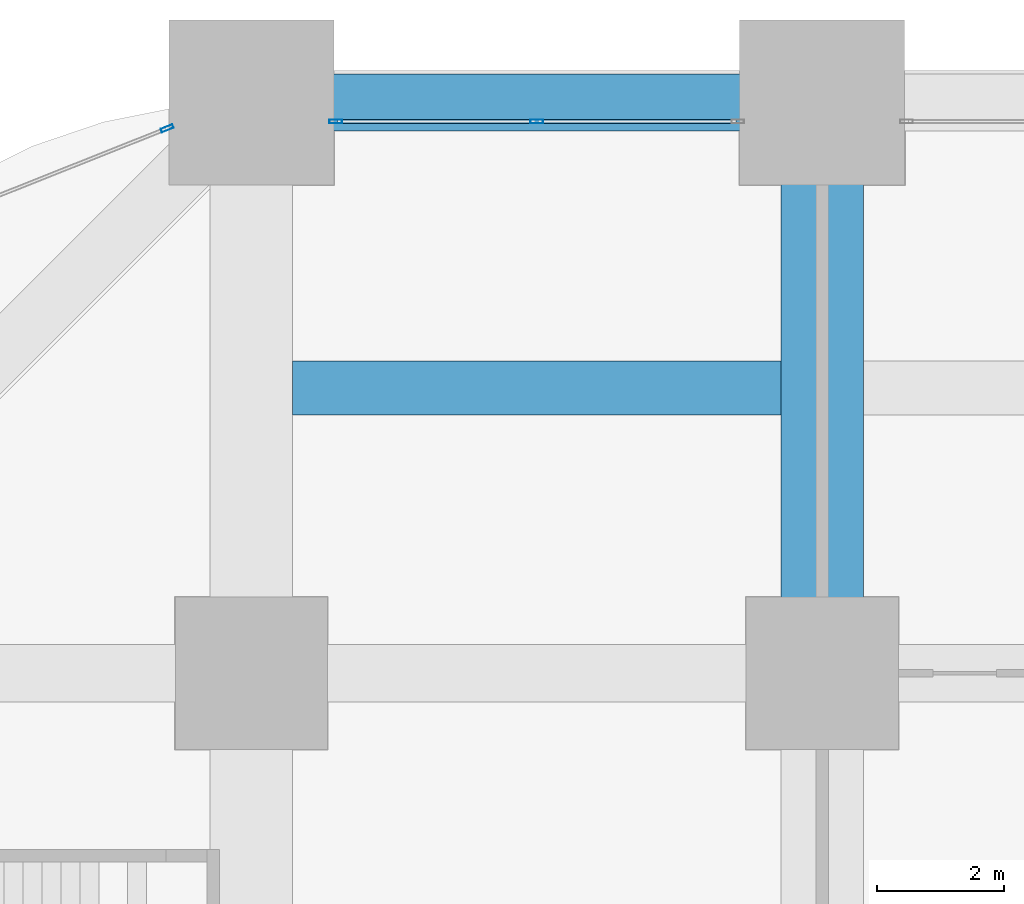
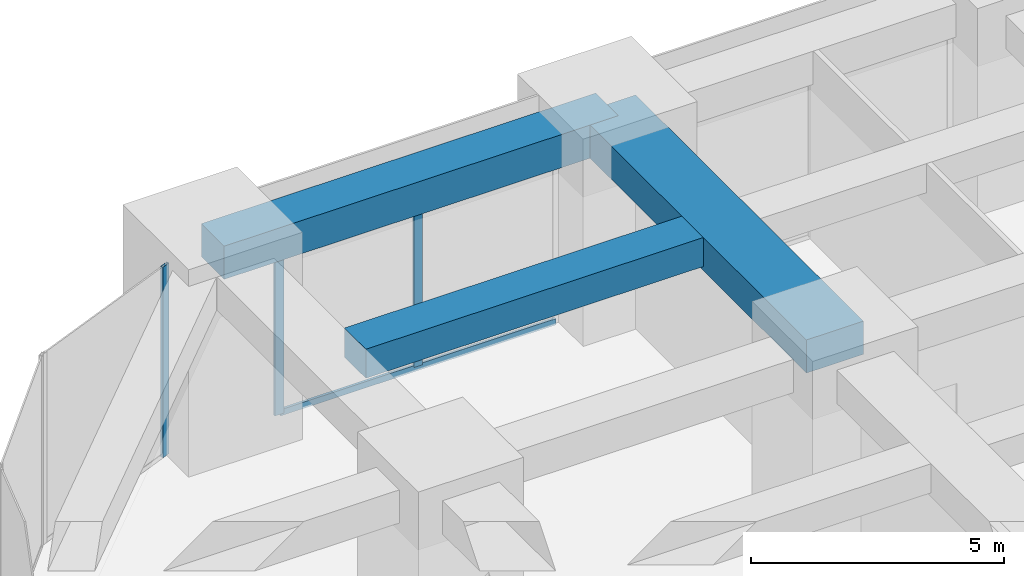
# One storey, part 23 of 46: 4 members, 3 beams, 2 elements without a shape of their own.
"""IFC4 building model written with IfcOpenShell, lengths in metres."""

from ifc_helpers import new_model, si_unit, direction, frame, origin, origin_2d, place, context, subcontext, project, spatial, rectangle, hollow_rectangle, extrude, material, material_profile, profile_set, type_object, element, aggregate, save


model = new_model("IFC4")

# Units and contexts
model_context = context("Model", 3, precision=1e-05, world=origin(), true_north=direction((0.0, 1.0)))
body_context = subcontext(model_context, "Body", "Model", "MODEL_VIEW")
ifc_project = project(units=[si_unit("LENGTHUNIT", "METRE"), si_unit("AREAUNIT", "SQUARE_METRE"), si_unit("VOLUMEUNIT", "CUBIC_METRE"), si_unit("PLANEANGLEUNIT", "RADIAN"), si_unit("MASSUNIT", "GRAM", prefix="KILO")], contexts=[model_context])

# Site, building, storey
site_placement = place(None, origin())
site = spatial("IfcSite", under=ifc_project, at=site_placement, CompositionType="ELEMENT")
building_placement = place(site_placement, origin())
building = spatial("IfcBuilding", under=site, at=building_placement, Name="Zorevar Civic Tower", CompositionType="ELEMENT")
storey_placement = place(building_placement, frame((0.0, 0.0, 10.800048828125)))
storey = spatial("IfcBuildingStorey", under=building, at=storey_placement, Name="L02", CompositionType="ELEMENT", Elevation=10.800048828125)

# Beams
ifc_material_1 = material(Name="Concrete C50/60", Category="concrete")
ifc_material_profile_1 = material_profile(ifc_material_1, rectangle(XDim=1.300048828125, YDim=0.800048828125, at=origin_2d()), Name="RC 1300x800")
ifc_profile_set_1 = profile_set([ifc_material_profile_1], Name="Concrete C50/60")
beam_type_1 = type_object("IfcBeamType", Name="Beam RC 1300x800", PredefinedType="BEAM", material=ifc_profile_set_1)
beam_1_placement = place(storey_placement, frame((9.0, 45.0, 4.199951171875), z_axis=(0.0, 1.0, 0.0), x_axis=(-1.0, 0.0, 0.0)))
element("IfcBeam", 1, at=beam_1_placement, inside=storey, type_object=beam_type_1, Name="Girder L03", PredefinedType="BEAM", context=body_context, shape_type="SweptSolid", body=[
    extrude(rectangle(XDim=1.300048828125, YDim=0.800048828125, at=origin_2d()), origin(), (0.0, 0.0, 1.0), 9.0),
])
ifc_material_2 = material(Name="Concrete C50/60", Category="concrete")
ifc_material_profile_2 = material_profile(ifc_material_2, rectangle(XDim=0.85009765625, YDim=0.699951171875, at=origin_2d()), Name="RC 850x700")
ifc_profile_set_2 = profile_set([ifc_material_profile_2], Name="Concrete C50/60")
beam_type_2 = type_object("IfcBeamType", Name="Beam RC 850x700", PredefinedType="BEAM", material=ifc_profile_set_2)
beam_2_placement = place(storey_placement, frame((0.64990234375, 49.5, 4.25), z_axis=(1.0, 0.0, 0.0), x_axis=(0.0, 1.0, 0.0)))
element("IfcBeam", 2, at=beam_2_placement, inside=storey, type_object=beam_type_2, Name="Secondary beam L03", PredefinedType="BEAM", context=body_context, shape_type="SweptSolid", body=[
    extrude(rectangle(XDim=0.85009765625, YDim=0.699951171875, at=origin_2d()), origin(), (0.0, 0.0, 1.0), 7.7001953125),
])

# Curtain wall, members
ifc_material_3 = material(Name="Dark grey solar-control glass in black aluminium frame", Category="aluminium")
curtain_wall_type = type_object("IfcCurtainWallType", Name="Curtain wall CW1 podium", PredefinedType="NOTDEFINED", material=ifc_material_3)
curtain_wall_1_placement = place(storey_placement, origin())
curtain_wall_1 = element("IfcCurtainWall", 3, at=curtain_wall_1_placement, inside=storey, type_object=curtain_wall_type, Name="CW1 L02", PredefinedType="NOTDEFINED")
ifc_material_4 = material(Name="Aluminium, black anodised", Category="aluminium")
ifc_material_profile_3 = material_profile(ifc_material_4, hollow_rectangle(XDim=0.06005859375, YDim=0.199951171875, WallThickness=0.00390625, at=origin_2d()), Name="AL 200x60x4")
ifc_profile_set_3 = profile_set([ifc_material_profile_3], Name="Aluminium, black anodised")
member_type_1 = type_object("IfcMemberType", Name="CW1 mullion AL 200x60x4", PredefinedType="MULLION", material=ifc_profile_set_3)
member_1_placement = place(storey_placement, frame((1.330078125, 53.699951171875, 0.0), z_axis=(0.0, 0.0, 1.0), x_axis=(0.0, 1.0, 0.0)))
member_1 = element("IfcMember", 4, at=member_1_placement, type_object=member_type_1, Name="CW1 mullion 1", PredefinedType="MULLION", context=body_context, shape_type="SweptSolid", body=[
    extrude(hollow_rectangle(XDim=0.06005859375, YDim=0.199951171875, WallThickness=0.00390625, at=origin_2d()), origin(), (0.0, 0.0, 1.0), 3.800048828125),
])
member_2_placement = place(storey_placement, frame((4.5, 53.699951171875, 0.06005859375), z_axis=(0.0, 0.0, 1.0), x_axis=(0.0, 1.0, 0.0)))
member_2 = element("IfcMember", 5, at=member_2_placement, type_object=member_type_1, Name="CW1 mullion 2", PredefinedType="MULLION", context=body_context, shape_type="SweptSolid", body=[
    extrude(hollow_rectangle(XDim=0.06005859375, YDim=0.199951171875, WallThickness=0.00390625, at=origin_2d()), origin(), (0.0, 0.0, 1.0), 3.739990234375),
])

# Curtain wall, member
curtain_wall_2_placement = place(storey_placement, origin())
curtain_wall_2 = element("IfcCurtainWall", 6, at=curtain_wall_2_placement, inside=storey, type_object=curtain_wall_type, Name="CW1 L02", PredefinedType="NOTDEFINED")
member_3_placement = place(storey_placement, frame((-1.327880859375, 53.591064453125, 0.0), z_axis=(0.0, 0.0, 1.0), x_axis=(0.370110964218, -0.928987553289, 0.0)))
member_3 = element("IfcMember", 7, at=member_3_placement, type_object=member_type_1, Name="CW1 mullion 1", PredefinedType="MULLION", context=body_context, shape_type="SweptSolid", body=[
    extrude(hollow_rectangle(XDim=0.06005859375, YDim=0.199951171875, WallThickness=0.00390625, at=origin_2d()), origin(), (0.0, 0.0, 1.0), 4.599853515625),
])
aggregate(curtain_wall_2, [member_3])

# Member
ifc_material_5 = material(Name="Aluminium, black anodised", Category="aluminium")
ifc_material_profile_4 = material_profile(ifc_material_5, hollow_rectangle(XDim=0.06005859375, YDim=0.14990234375, WallThickness=0.00390625, at=origin_2d()), Name="AL 150x60x4")
ifc_profile_set_4 = profile_set([ifc_material_profile_4], Name="Aluminium, black anodised")
member_type_2 = type_object("IfcMemberType", Name="CW1 transom AL 150x60x4", PredefinedType="USERDEFINED", material=ifc_profile_set_4)
member_4_placement = place(storey_placement, frame((1.360107421875, 53.699951171875, 0.030029296875), z_axis=(1.0, 0.0, 0.0), x_axis=(0.0, 1.0, 0.0)))
member_4 = element("IfcMember", 8, at=member_4_placement, type_object=member_type_2, Name="CW1 sill transom", ObjectType="TRANSOM", PredefinedType="USERDEFINED", context=body_context, shape_type="SweptSolid", body=[
    extrude(hollow_rectangle(XDim=0.06005859375, YDim=0.14990234375, WallThickness=0.00390625, at=origin_2d()), origin(), (0.0, 0.0, 1.0), 6.27978515625),
])

aggregate(curtain_wall_1, [member_1, member_2, member_4])

# Beam
ifc_material_6 = material(Name="Concrete C50/60", Category="concrete")
ifc_material_profile_5 = material_profile(ifc_material_6, rectangle(XDim=0.89990234375, YDim=0.800048828125, at=origin_2d()), Name="RC 900x800")
ifc_profile_set_5 = profile_set([ifc_material_profile_5], Name="Concrete C50/60")
beam_type_3 = type_object("IfcBeamType", Name="Edge beam RC 900x800", PredefinedType="SPANDREL", material=ifc_profile_set_5)
beam_3_placement = place(storey_placement, frame((0.0, 54.0, 4.199951171875), z_axis=(1.0, 0.0, 0.0), x_axis=(0.0, 1.0, 0.0)))
element("IfcBeam", 9, at=beam_3_placement, inside=storey, type_object=beam_type_3, Name="Edge beam L03", PredefinedType="SPANDREL", context=body_context, shape_type="SweptSolid", body=[
    extrude(rectangle(XDim=0.89990234375, YDim=0.800048828125, at=origin_2d()), origin(), (0.0, 0.0, 1.0), 9.0),
])

save(model, "model.ifc")
